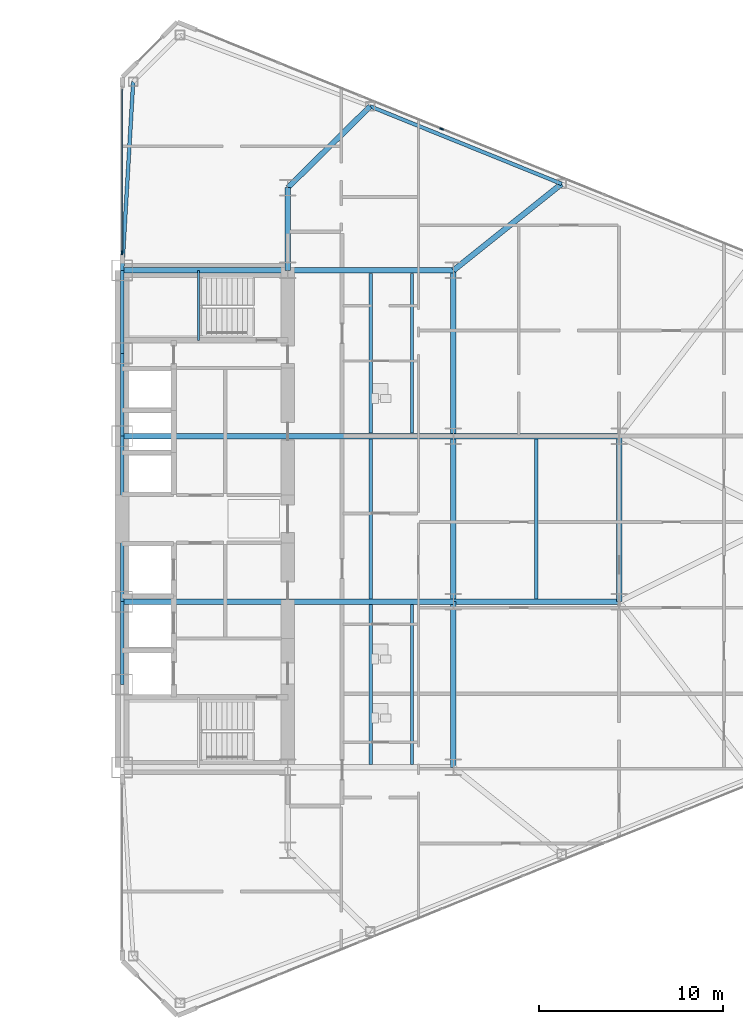
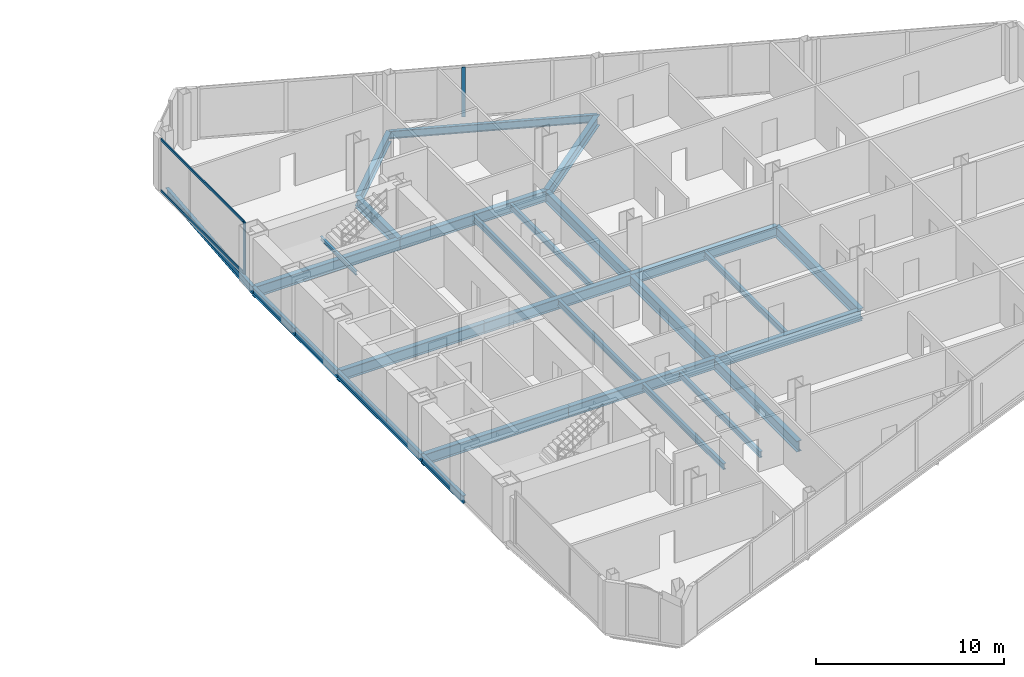
# One storey, part 11 of 25: 28 beams, 4 members, 2 elements without a shape of their own.
"""IFC4 building model written with IfcOpenShell, lengths in metres."""

from ifc_helpers import new_model, si_unit, direction, frame, origin, origin_2d, place, context, subcontext, project, spatial, rectangle, i_section, extrude, source, transform, mapped, material, layer, layer_set, material_profile, profile_set, type_object, type_shapes, element, aggregate, save


model = new_model("IFC4")

# Units and contexts
model_context = context("Model", 3, precision=1e-05, world=origin(), true_north=direction((0.0, 1.0)))
body_context = subcontext(model_context, "Body", "Model", "MODEL_VIEW")
ifc_project = project(units=[si_unit("LENGTHUNIT", "METRE"), si_unit("AREAUNIT", "SQUARE_METRE"), si_unit("VOLUMEUNIT", "CUBIC_METRE"), si_unit("PLANEANGLEUNIT", "RADIAN"), si_unit("MASSUNIT", "GRAM", prefix="KILO")], contexts=[model_context])

# Site, building, storey
site_placement = place(None, origin())
site = spatial("IfcSite", under=ifc_project, at=site_placement, CompositionType="ELEMENT")
building_placement = place(site_placement, origin())
building = spatial("IfcBuilding", under=site, at=building_placement, Name="Seokmaru Belvedere", CompositionType="ELEMENT")
storey_placement = place(building_placement, frame((0.0, 0.0, 22.5)))
storey = spatial("IfcBuildingStorey", under=building, at=storey_placement, Name="L05", CompositionType="ELEMENT", Elevation=22.5)

# Beams
ifc_material_1 = material(Name="Steel SM355 (355 MPa)", Category="steel")
ifc_material_profile_1 = material_profile(ifc_material_1, i_section(OverallWidth=0.199951171875, OverallDepth=0.5, WebThickness=0.010009765625, FlangeThickness=0.01611328125, at=origin_2d()), Name="H-500x200x10x16")
ifc_profile_set_1 = profile_set([ifc_material_profile_1], Name="Steel SM355 (355 MPa)")
beam_type_1 = type_object("IfcBeamType", Name="Perimeter Spandrel Beam H-500", PredefinedType="SPANDREL", material=ifc_profile_set_1)
shared_shape_1 = source(origin(), body_context, "Body", "SweptSolid", [
    extrude(i_section(OverallWidth=0.199951171875, OverallDepth=0.5, WebThickness=0.010009765625, FlangeThickness=0.01611328125, at=origin_2d()), origin(), (0.0, 0.0, 1.0), 4.5),
])
for number, where, z_axis, x_axis, name in (
    (1, (27.5, -9.0, -0.469970703125), (0.0, 1.0, 0.0), (-1.0, 0.0, 0.0), "L05 E Portal Spine Spandrel 2"),
    (2, (27.5, 4.5, -0.469970703125), (0.0, 1.0, 0.0), (-1.0, 0.0, 0.0), "L05 E Portal Spine Spandrel 4"),
    (3, (27.5, 9.0, -0.469970703125), (0.0, 1.0, 0.0), (-1.0, 0.0, 0.0), "L05 E Portal Spine Spandrel 5"),
):
    element("IfcBeam", number, at=place(storey_placement, frame(where, z_axis=z_axis, x_axis=x_axis)), inside=storey, type_object=beam_type_1, Name=name, PredefinedType="SPANDREL", context=body_context, shape_type="MappedRepresentation", body=[
        mapped(shared_shape_1, transform((0.0, 0.0, 0.0), scale=1.0)),
    ])
shared_shape_2 = source(origin(), body_context, "Body", "SweptSolid", [
    extrude(i_section(OverallWidth=0.199951171875, OverallDepth=0.5, WebThickness=0.010009765625, FlangeThickness=0.01611328125, at=origin_2d()), origin(), (0.0, 0.0, 1.0), 9.0),
])
beam_1_placement = place(storey_placement, frame((27.5, -4.5, -0.469970703125), z_axis=(0.0, 1.0, 0.0), x_axis=(-1.0, 0.0, 0.0)))
element("IfcBeam", 4, at=beam_1_placement, inside=storey, type_object=beam_type_1, Name="L05 E Portal Spine Spandrel 3", PredefinedType="SPANDREL", context=body_context, shape_type="MappedRepresentation", body=[
    mapped(shared_shape_2, transform((0.0, 0.0, 0.0), scale=1.0)),
])
ifc_material_profile_2 = material_profile(ifc_material_1, i_section(OverallWidth=0.300048828125, OverallDepth=0.699951171875, WebThickness=0.012939453125, FlangeThickness=0.02392578125, at=origin_2d()), Name="H-700x300x13x24")
ifc_profile_set_2 = profile_set([ifc_material_profile_2], Name="Steel SM355 (355 MPa)")
beam_type_2 = type_object("IfcBeamType", Name="Primary Floor Girder H-700", PredefinedType="BEAM", material=ifc_profile_set_2)
shared_shape_3 = source(origin(), body_context, "Body", "SweptSolid", [
    extrude(i_section(OverallWidth=0.300048828125, OverallDepth=0.699951171875, WebThickness=0.012939453125, FlangeThickness=0.02392578125, at=origin_2d()), origin(), (0.0, 0.0, 1.0), 4.5),
])
beam_2_placement = place(storey_placement, frame((36.5, 13.5, -0.570068359375), z_axis=(0.0, 1.0, 0.0), x_axis=(-1.0, 0.0, 0.0)))
element("IfcBeam", 5, at=beam_2_placement, inside=storey, type_object=beam_type_2, Name="L05 E Core Shoulder Girder N", PredefinedType="BEAM", context=body_context, shape_type="MappedRepresentation", body=[
    mapped(shared_shape_3, transform((0.0, 0.0, 0.0), scale=1.0)),
])
shared_shape_4 = source(origin(), body_context, "Body", "SweptSolid", [
    extrude(i_section(OverallWidth=0.300048828125, OverallDepth=0.699951171875, WebThickness=0.012939453125, FlangeThickness=0.02392578125, at=origin_2d()), origin(), (0.0, 0.0, 1.0), 9.0),
])
for number, where, z_axis, x_axis, name in (
    (6, (45.5, -13.5, -0.570068359375), (0.0, 1.0, 0.0), (-1.0, 0.0, 0.0), "L05 E Interior Grid Girder 1"),
    (7, (45.5, -4.5, -0.570068359375), (0.0, 1.0, 0.0), (-1.0, 0.0, 0.0), "L05 E Interior Grid Girder 2"),
    (8, (45.5, 4.5, -0.570068359375), (0.0, 1.0, 0.0), (-1.0, 0.0, 0.0), "L05 E Interior Grid Girder 3"),
    (9, (27.5, -4.5, -0.570068359375), (1.0, 0.0, 0.0), (0.0, 1.0, 0.0), "L05 E Core Tie Girder 2"),
    (10, (36.5, -4.5, -0.570068359375), (1.0, 0.0, 0.0), (0.0, 1.0, 0.0), "L05 E Wing Primary Girder 2"),
    (11, (27.5, 4.5, -0.570068359375), (1.0, 0.0, 0.0), (0.0, 1.0, 0.0), "L05 E Core Tie Girder 3"),
    (12, (36.5, 4.5, -0.570068359375), (1.0, 0.0, 0.0), (0.0, 1.0, 0.0), "L05 E Wing Primary Girder 3"),
    (13, (27.5, 13.5, -0.570068359375), (1.0, 0.0, 0.0), (0.0, 1.0, 0.0), "L05 E Core Tie Girder 4"),
    (14, (36.5, 13.5, -0.570068359375), (1.0, 0.0, 0.0), (0.0, 1.0, 0.0), "L05 E Wing Primary Girder 4"),
    (15, (45.5, -4.5, -0.570068359375), (1.0, 0.0, 0.0), (0.0, 1.0, 0.0), "L05 E Outer Wing Girder 1"),
    (16, (45.5, 4.5, -0.570068359375), (1.0, 0.0, 0.0), (0.0, 1.0, 0.0), "L05 E Outer Wing Girder 2"),
    (17, (54.5, -4.5, -0.570068359375), (0.0, 1.0, 0.0), (-1.0, 0.0, 0.0), "L05 E Apex Frame Girder"),
):
    element("IfcBeam", number, at=place(storey_placement, frame(where, z_axis=z_axis, x_axis=x_axis)), inside=storey, type_object=beam_type_2, Name=name, PredefinedType="BEAM", context=body_context, shape_type="MappedRepresentation", body=[
        mapped(shared_shape_4, transform((0.0, 0.0, 0.0), scale=1.0)),
    ])
ifc_material_profile_3 = material_profile(ifc_material_1, i_section(OverallWidth=0.18505859375, OverallDepth=0.389892578125, WebThickness=0.008056640625, FlangeThickness=0.011962890625, at=origin_2d()), Name="H-390x185x8x12")
ifc_profile_set_3 = profile_set([ifc_material_profile_3], Name="Steel SM355 (355 MPa)")
beam_type_3 = type_object("IfcBeamType", Name="Secondary Floor Joist H-350", PredefinedType="JOIST", material=ifc_profile_set_3)
shared_shape_5 = source(origin(), body_context, "Body", "SweptSolid", [
    extrude(i_section(OverallWidth=0.18505859375, OverallDepth=0.389892578125, WebThickness=0.008056640625, FlangeThickness=0.011962890625, at=origin_2d()), origin(), (0.0, 0.0, 1.0), 8.68994140625),
])
type_shapes(beam_type_3, [shared_shape_5])
for number, where, z_axis, x_axis, name in (
    (18, (43.25, -13.344970703125, -0.4150390625), (0.0, 1.0, 0.0), (-1.0, 0.0, 0.0), "L05 E Wing Inner Secondary Joist 1"),
    (19, (43.25, 4.655029296875, -0.4150390625), (0.0, 1.0, 0.0), (-1.0, 0.0, 0.0), "L05 E Wing Inner Secondary Joist 2"),
    (20, (41.0, -13.344970703125, -0.4150390625), (0.0, 1.0, 0.0), (-1.0, 0.0, 0.0), "L05 E Secondary Floor Joist 1"),
    (21, (41.0, -4.344970703125, -0.4150390625), (0.0, 1.0, 0.0), (-1.0, 0.0, 0.0), "L05 E Secondary Floor Joist 2"),
    (22, (41.0, 4.655029296875, -0.4150390625), (0.0, 1.0, 0.0), (-1.0, 0.0, 0.0), "L05 E Secondary Floor Joist 3"),
    (23, (50.0, -4.344970703125, -0.4150390625), (0.0, 1.0, 0.0), (-1.0, 0.0, 0.0), "L05 E Outer Bay Secondary Joist"),
):
    element("IfcBeam", number, at=place(storey_placement, frame(where, z_axis=z_axis, x_axis=x_axis)), inside=storey, type_object=beam_type_3, Name=name, PredefinedType="JOIST", context=body_context, shape_type="MappedRepresentation", body=[
        mapped(shared_shape_5, transform((0.0, 0.0, 0.0), scale=1.0)),
    ])
shared_shape_6 = source(origin(), body_context, "Body", "SweptSolid", [
    extrude(i_section(OverallWidth=0.199951171875, OverallDepth=0.5, WebThickness=0.010009765625, FlangeThickness=0.01611328125, at=origin_2d()), origin(), (0.0, 0.0, 1.0), 11.220703125),
])
beam_3_placement = place(storey_placement, frame((40.977294921875, 22.4140625, -0.469970703125), z_axis=(0.926944290816, -0.375198989503, 0.0), x_axis=(0.375198989503, 0.926944290816, 0.0)))
element("IfcBeam", 24, at=beam_3_placement, inside=storey, type_object=beam_type_1, Name="L05 E Faceted Flank Spandrel N-2", PredefinedType="SPANDREL", context=body_context, shape_type="MappedRepresentation", body=[
    mapped(shared_shape_6, transform((0.0, 0.0, 0.0), scale=1.0)),
])
shared_shape_7 = source(origin(), body_context, "Body", "SweptSolid", [
    extrude(i_section(OverallWidth=0.199951171875, OverallDepth=0.5, WebThickness=0.010009765625, FlangeThickness=0.01611328125, at=origin_2d()), origin(), (0.0, 0.0, 1.0), 10.26904296875),
])
type_shapes(beam_type_1, [shared_shape_1, shared_shape_2, shared_shape_6, shared_shape_7])
beam_4_placement = place(storey_placement, frame((28.10009765625, 23.75146484375, -0.469970703125), z_axis=(-0.058437709399, -0.998291056817, 0.0), x_axis=(0.998291056817, -0.058437709399, 0.0)))
element("IfcBeam", 25, at=beam_4_placement, inside=storey, type_object=beam_type_1, Name="L05 E Shoulder Spine Spandrel N", PredefinedType="SPANDREL", context=body_context, shape_type="MappedRepresentation", body=[
    mapped(shared_shape_7, transform((0.0, 0.0, 0.0), scale=1.0)),
])
shared_shape_8 = source(origin(), body_context, "Body", "SweptSolid", [
    extrude(i_section(OverallWidth=0.300048828125, OverallDepth=0.699951171875, WebThickness=0.012939453125, FlangeThickness=0.02392578125, at=origin_2d()), origin(), (0.0, 0.0, 1.0), 6.287353515625),
])
beam_5_placement = place(storey_placement, frame((40.977294921875, 22.4140625, -0.570068359375), z_axis=(-0.712117485263, -0.702060315915, 0.0), x_axis=(0.702060315915, -0.712117485263, 0.0)))
element("IfcBeam", 26, at=beam_5_placement, inside=storey, type_object=beam_type_2, Name="L05 E Flank Radial Floor Girder N-1", PredefinedType="BEAM", context=body_context, shape_type="MappedRepresentation", body=[
    mapped(shared_shape_8, transform((0.0, 0.0, 0.0), scale=1.0)),
])
shared_shape_9 = source(origin(), body_context, "Body", "SweptSolid", [
    extrude(i_section(OverallWidth=0.300048828125, OverallDepth=0.699951171875, WebThickness=0.012939453125, FlangeThickness=0.02392578125, at=origin_2d()), origin(), (0.0, 0.0, 1.0), 7.52880859375),
])
type_shapes(beam_type_2, [shared_shape_3, shared_shape_4, shared_shape_8, shared_shape_9])
beam_6_placement = place(storey_placement, frame((51.378173828125, 18.2041015625, -0.570068359375), z_axis=(-0.780767560736, -0.624821587418, 0.0), x_axis=(0.624821587418, -0.780767560736, 0.0)))
element("IfcBeam", 27, at=beam_6_placement, inside=storey, type_object=beam_type_2, Name="L05 E Flank Radial Floor Girder N-2", PredefinedType="BEAM", context=body_context, shape_type="MappedRepresentation", body=[
    mapped(shared_shape_9, transform((0.0, 0.0, 0.0), scale=1.0)),
])

# Curtain wall, members
ifc_material_2 = material(Name="Bronze Triple Insulating Glass", Category="glass")
ifc_layer = layer(ifc_material_2, 0.2099609375)
ifc_layer_set = layer_set([ifc_layer], Name="Bronze Triple Insulating Glass")
curtain_wall_type = type_object("IfcCurtainWallType", Name="Low-Rise Faceted Crystal Curtain Wall System CW-2", PredefinedType="NOTDEFINED", material=ifc_layer_set)
curtain_wall_1_placement = place(storey_placement, origin())
curtain_wall_1 = element("IfcCurtainWall", 28, at=curtain_wall_1_placement, inside=storey, type_object=curtain_wall_type, Name="L05 Curtain Wall ESP_2", PredefinedType="NOTDEFINED")
ifc_material_3 = material(Name="Anodised Bronze Aluminium", Category="aluminium")
ifc_material_profile_4 = material_profile(ifc_material_3, rectangle(XDim=0.070068359375, YDim=0.1650390625, at=origin_2d()), Name="CW-T-70x165")
ifc_profile_set_4 = profile_set([ifc_material_profile_4], Name="Anodised Bronze Aluminium")
member_type_1 = type_object("IfcMemberType", Name="Bronze Unitised Transom 70x165", PredefinedType="USERDEFINED", material=ifc_profile_set_4)
shared_shape_10 = source(origin(), body_context, "Body", "SweptSolid", [
    extrude(rectangle(XDim=0.070068359375, YDim=0.1650390625, at=origin_2d()), origin(), (0.0, 0.0, 1.0), 8.85009765625),
])
type_shapes(member_type_1, [shared_shape_10])
member_1_placement = place(storey_placement, frame((27.5, 23.35498046875, 0.034912109375), z_axis=(0.0, -1.0, 0.0), x_axis=(1.0, 0.0, 0.0)))
member_1 = element("IfcMember", 29, at=member_1_placement, type_object=member_type_1, Name="CW:L05:ESP_2 Continuous Transom 1", ObjectType="TRANSOM", PredefinedType="USERDEFINED", context=body_context, shape_type="MappedRepresentation", body=[
    mapped(shared_shape_10, transform((0.0, 0.0, 0.0), scale=1.0)),
])
member_2_placement = place(storey_placement, frame((27.5, 23.35498046875, 3.344970703125), z_axis=(0.0, -1.0, 0.0), x_axis=(1.0, 0.0, 0.0)))
member_2 = element("IfcMember", 30, at=member_2_placement, type_object=member_type_1, Name="CW:L05:ESP_2 Continuous Transom 2", ObjectType="TRANSOM", PredefinedType="USERDEFINED", context=body_context, shape_type="MappedRepresentation", body=[
    mapped(shared_shape_10, transform((0.0, 0.0, 0.0), scale=1.0)),
])

# Curtain wall, member
curtain_wall_2_placement = place(storey_placement, origin())
curtain_wall_2 = element("IfcCurtainWall", 31, at=curtain_wall_2_placement, inside=storey, type_object=curtain_wall_type, Name="L05 Curtain Wall EF3", PredefinedType="NOTDEFINED")
ifc_material_profile_5 = material_profile(ifc_material_3, rectangle(XDim=0.074951171875, YDim=0.2099609375, at=origin_2d()), Name="CW-M-75x210")
ifc_profile_set_5 = profile_set([ifc_material_profile_5], Name="Anodised Bronze Aluminium")
member_type_2 = type_object("IfcMemberType", Name="Bronze Unitised Mullion 75x210", PredefinedType="MULLION", material=ifc_profile_set_5)
shared_shape_11 = source(origin(), body_context, "Body", "SweptSolid", [
    extrude(rectangle(XDim=0.074951171875, YDim=0.2099609375, at=origin_2d()), origin(), (0.0, 0.0, 1.0), 3.239990234375),
])
member_3_placement = place(storey_placement, frame((44.855224609375, 21.189453125, 0.070068359375), z_axis=(0.0, 0.0, 1.0), x_axis=(-0.375192321888, -0.926946989637, 0.0)))
member_3 = element("IfcMember", 32, at=member_3_placement, type_object=member_type_2, Name="CW:L05:EF3 Mullion 7", PredefinedType="MULLION", context=body_context, shape_type="MappedRepresentation", body=[
    mapped(shared_shape_11, transform((0.0, 0.0, 0.0), scale=1.0)),
])
aggregate(curtain_wall_2, [member_3])

# Member
shared_shape_12 = source(origin(), body_context, "Body", "SweptSolid", [
    extrude(rectangle(XDim=0.074951171875, YDim=0.2099609375, at=origin_2d()), origin(), (0.0, 0.0, 1.0), 3.3798828125),
])
type_shapes(member_type_2, [shared_shape_11, shared_shape_12])
member_4_placement = place(storey_placement, frame((27.5, 14.467529296875, 0.0), z_axis=(0.0, 0.0, 1.0), x_axis=(1.0, 0.0, 0.0)))
member_4 = element("IfcMember", 33, at=member_4_placement, type_object=member_type_2, Name="CW:L05:ESP_2 Mullion 2", PredefinedType="MULLION", context=body_context, shape_type="MappedRepresentation", body=[
    mapped(shared_shape_12, transform((0.0, 0.0, 0.0), scale=1.0)),
])

aggregate(curtain_wall_1, [member_4, member_1, member_2])

# Beam
ifc_material_profile_6 = material_profile(ifc_material_1, i_section(OverallWidth=0.125, OverallDepth=0.25, WebThickness=0.006103515625, FlangeThickness=0.009033203125, at=origin_2d()), Name="H-250x125x6x9")
ifc_profile_set_6 = profile_set([ifc_material_profile_6], Name="Steel SM355 (355 MPa)")
beam_type_4 = type_object("IfcBeamType", Name="Stair Mid-Landing Support Beam H-250", PredefinedType="JOIST", material=ifc_profile_set_6)
shared_shape_13 = source(origin(), body_context, "Body", "SweptSolid", [
    extrude(i_section(OverallWidth=0.125, OverallDepth=0.25, WebThickness=0.006103515625, FlangeThickness=0.009033203125, at=origin_2d()), origin(), (0.0, 0.0, 1.0), 3.800048828125),
])
type_shapes(beam_type_4, [shared_shape_13])
beam_7_placement = place(storey_placement, frame((31.64990234375, 9.699951171875, 1.47509765625), z_axis=(0.0, 1.0, 0.0), x_axis=(-1.0, 0.0, 0.0)))
element("IfcBeam", 34, at=beam_7_placement, inside=storey, type_object=beam_type_4, Name="L05 Stair ST-E2 Mid-Landing Support Beam 1", PredefinedType="JOIST", context=body_context, shape_type="MappedRepresentation", body=[
    mapped(shared_shape_13, transform((0.0, 0.0, 0.0), scale=1.0)),
])

save(model, "model.ifc")
